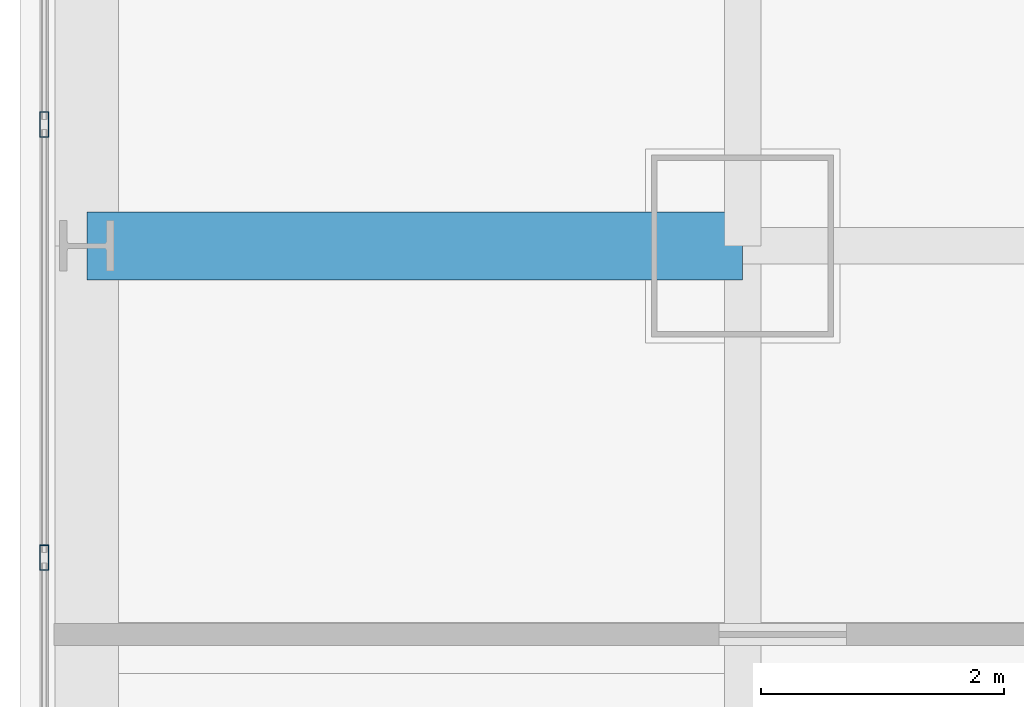
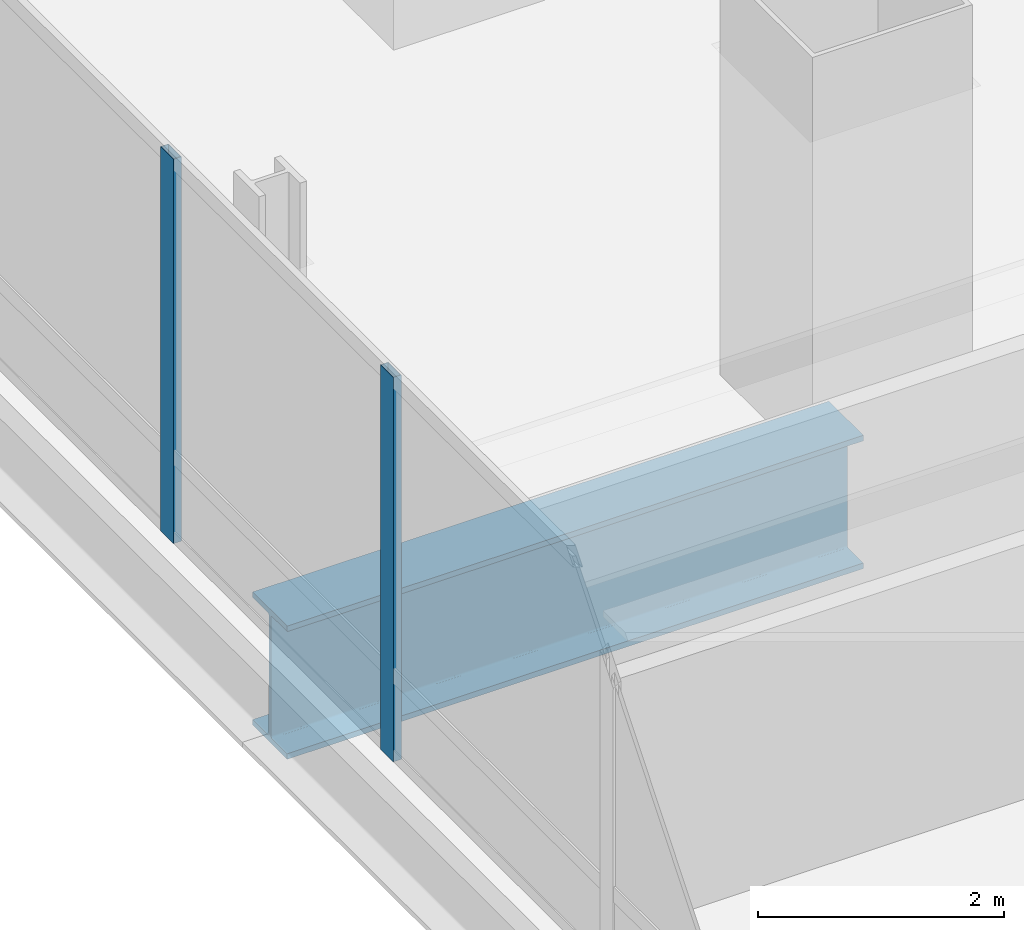
# One storey, part 9 of 35: 2 members, 1 beam, 1 element without a shape of its own.
"""IFC4 building model written with IfcOpenShell, lengths in metres."""

import ifcopenshell
import ifcopenshell.guid

model = None  # the IFC model being written
_history = None  # IfcOwnerHistory: only IFC2X3 demands one
_inside = {}  # id of a spatial element -> (the spatial element, [elements in it])
_under = {}  # id of a project, library or spatial element -> (it, [spatial elements below it])
_declared = {}  # id of a project -> (the project, [libraries it declares])
_typed = {}  # id of a type object -> (the type object, [elements of that type])
_made_of = {}  # id of a material, layer set ... -> (it, [elements and type objects made of it])


def new_model(schema):
    """Start an empty IFC model of exactly this schema.

    Asked for "IFC4X3", IfcOpenShell would pick the latest addendum, in which some entities
    have other attributes; the version numbers below select the first issue.
    IFC2X3 requires an IfcOwnerHistory on every rooted entity: one is made here for all.
    """
    global model, _history
    if schema == "IFC4X3":
        model = ifcopenshell.file(schema_version=(4, 3, 0, 0))
    else:
        model = ifcopenshell.file(schema=schema)
    _inside.clear()
    _under.clear()
    _declared.clear()
    _typed.clear()
    _made_of.clear()
    _history = None
    if model.schema == "IFC2X3":
        org = make("IfcOrganization", Name="unknown")
        user = make(
            "IfcPersonAndOrganization",
            ThePerson=make("IfcPerson", FamilyName="unknown"),
            TheOrganization=org,
        )
        app = make(
            "IfcApplication",
            ApplicationDeveloper=org,
            Version="unknown",
            ApplicationFullName="unknown",
            ApplicationIdentifier="unknown",
        )
        _history = make(
            "IfcOwnerHistory",
            OwningUser=user,
            OwningApplication=app,
            ChangeAction="ADDED",
            CreationDate=0,
        )
    return model


def make(cls, **values):
    """One entity of the class cls with the attributes given. An attribute that is None is left unset."""
    return model.create_entity(
        cls, **{name: value for name, value in values.items() if value is not None}
    )


def rooted(cls, **values):
    """An entity with a GlobalId (a new one), such as an element, a storey or a relation."""
    return make(cls, GlobalId=ifcopenshell.guid.new(), OwnerHistory=_history, **values)


def si_unit(unit_type, name, prefix=None):
    """IfcSIUnit, for example si_unit("LENGTHUNIT", "METRE", prefix="MILLI")."""
    return make("IfcSIUnit", UnitType=unit_type, Prefix=prefix, Name=name)


def assignment(units):
    """IfcUnitAssignment: the units of a project."""
    return None if units is None else make("IfcUnitAssignment", Units=units)


def point(xyz):
    """IfcCartesianPoint."""
    return None if xyz is None else make("IfcCartesianPoint", Coordinates=xyz)


def direction(xyz):
    """IfcDirection."""
    return None if xyz is None else make("IfcDirection", DirectionRatios=xyz)


def frame(location, z_axis=None, x_axis=None):
    """IfcAxis2Placement3D, a coordinate frame: its origin and axes. An axis left out is left unset."""
    return make(
        "IfcAxis2Placement3D",
        Location=point(location),
        Axis=direction(z_axis),
        RefDirection=direction(x_axis),
    )


def frame_2d(location, x_axis=None):
    """IfcAxis2Placement2D, a coordinate frame in the plane: its origin and x axis."""
    return make(
        "IfcAxis2Placement2D", Location=point(location), RefDirection=direction(x_axis)
    )


def origin():
    """The frame at (0, 0, 0) with its axes left unset."""
    return frame((0.0, 0.0, 0.0))


def origin_2d():
    """The frame at (0, 0) in the plane with its x axis left unset."""
    return frame_2d((0.0, 0.0))


def place(relative_to, where):
    """IfcLocalPlacement: puts the frame where relative to a parent placement (None: the world)."""
    return make(
        "IfcLocalPlacement", PlacementRelTo=relative_to, RelativePlacement=where
    )


def context(
    kind, dimensions, precision=None, world=None, true_north=None, identifier=None
):
    """IfcGeometricRepresentationContext, for example the 3D "Model" context."""
    return make(
        "IfcGeometricRepresentationContext",
        ContextIdentifier=identifier,
        ContextType=kind,
        CoordinateSpaceDimension=dimensions,
        Precision=precision,
        WorldCoordinateSystem=world,
        TrueNorth=true_north,
    )


def subcontext(parent, identifier, kind, view, scale=None):
    """IfcGeometricRepresentationSubContext, for example "Body" below "Model"."""
    return make(
        "IfcGeometricRepresentationSubContext",
        ContextIdentifier=identifier,
        ContextType=kind,
        ParentContext=parent,
        TargetScale=scale,
        TargetView=view,
    )


def project(units=None, contexts=None):
    """IfcProject with its units and contexts."""
    return rooted(
        "IfcProject",
        Name="project",
        RepresentationContexts=contexts,
        UnitsInContext=assignment(units),
    )


def spatial(cls, under=None, at=None, **own):
    """A site, building, storey or space (cls), placed at a placement, below another one or the project."""
    s = rooted(cls, ObjectPlacement=at, **own)
    if under is not None:
        _under.setdefault(under.id(), (under, []))[1].append(s)
    return s


def profile(cls, at=None, kind="AREA", **sizes):
    """A parametric profile (cls). Its sizes go by their IFC names, for example OverallWidth=200.0."""
    return make(cls, ProfileType=kind, Position=at, **sizes)


def hollow_rectangle(**sizes):
    """IfcRectangleHollowProfileDef."""
    return profile("IfcRectangleHollowProfileDef", **sizes)


def i_section(**sizes):
    """IfcIShapeProfileDef."""
    return profile("IfcIShapeProfileDef", **sizes)


def extrude(swept, where, along, depth):
    """IfcExtrudedAreaSolid: the profile swept, set in the frame where, extruded along a direction by depth."""
    return make(
        "IfcExtrudedAreaSolid",
        SweptArea=swept,
        Position=where,
        ExtrudedDirection=direction(along),
        Depth=depth,
    )


def shape(context_of_items, identifier, shape_type, items):
    """IfcShapeRepresentation: the items that make up one representation, for example the "Body"."""
    return make(
        "IfcShapeRepresentation",
        ContextOfItems=context_of_items,
        RepresentationIdentifier=identifier,
        RepresentationType=shape_type,
        Items=items,
    )


def material(Name=None, Category=None):
    """IfcMaterial."""
    return make("IfcMaterial", Name=Name, Category=Category)


def material_profile(
    of_material, cross_section, Name=None, Category=None, Priority=None
):
    """IfcMaterialProfile: a cross section and its material."""
    return make(
        "IfcMaterialProfile",
        Name=Name,
        Material=of_material,
        Profile=cross_section,
        Priority=Priority,
        Category=Category,
    )


def profile_set(profiles, Name=None, composite=None):
    """IfcMaterialProfileSet."""
    return make(
        "IfcMaterialProfileSet",
        Name=Name,
        MaterialProfiles=profiles,
        CompositeProfile=composite,
    )


def made_of(thing, what):
    """Note that an element or type object is made of a material, layer set ...; save() writes the relation."""
    if what is not None:
        _made_of.setdefault(what.id(), (what, []))[1].append(thing)
    return thing


def type_object(cls, material=None, **own):
    """A type object (cls), such as IfcWallType, which elements share."""
    return made_of(rooted(cls, **own), material)


def element(
    cls,
    number,
    at=None,
    inside=None,
    cuts=None,
    type_object=None,
    material=None,
    context=None,
    identifier="Body",
    shape_type=None,
    held_by="IfcProductDefinitionShape",
    body=None,
    shapes=None,
    **own,
):
    """One element of the class cls, such as IfcWall. Its Tag is "e" and its number.

    at: its placement. inside: the storey or other place that contains it. cuts: it is an
    opening in that element (IfcRelVoidsElement). A single representation is given by context,
    identifier, shape_type and body (its items); several are given by shapes. held_by: the class
    of the entity that holds the representations. save() writes the other relations.
    """
    e = rooted(cls, Tag="e%d" % number, ObjectPlacement=at, **own)
    if body is not None:
        shapes = [shape(context, identifier, shape_type, body)]
    if shapes is not None:
        e.Representation = make(held_by, Representations=shapes)
    if inside is not None:
        _inside.setdefault(inside.id(), (inside, []))[1].append(e)
    if cuts is not None:
        rooted(
            "IfcRelVoidsElement", RelatingBuildingElement=cuts, RelatedOpeningElement=e
        )
    if type_object is not None:
        _typed.setdefault(type_object.id(), (type_object, []))[1].append(e)
    return made_of(e, material)


def aggregate(whole, parts):
    """IfcRelAggregates: a whole, such as a stair, and the parts it consists of."""
    return rooted("IfcRelAggregates", RelatingObject=whole, RelatedObjects=parts)


def save(model, path):
    """Write the relations noted so far, then the file.

    IfcRelAggregates (storeys below a building ...), IfcRelContainedInSpatialStructure (elements
    in a storey), IfcRelDefinesByType, IfcRelAssociatesMaterial and IfcRelDeclares: one each for
    every whole, place, type object, material and project.
    """
    for whole, parts in _under.values():
        aggregate(whole, parts)
    for where, things in _inside.values():
        rooted(
            "IfcRelContainedInSpatialStructure",
            RelatedElements=things,
            RelatingStructure=where,
        )
    for kind, things in _typed.values():
        rooted("IfcRelDefinesByType", RelatedObjects=things, RelatingType=kind)
    for what, things in _made_of.values():
        rooted("IfcRelAssociatesMaterial", RelatedObjects=things, RelatingMaterial=what)
    for by, libraries in _declared.values():
        rooted("IfcRelDeclares", RelatingContext=by, RelatedDefinitions=libraries)
    model.write(path)


model = new_model("IFC4")

# Units and contexts
model_context = context("Model", 3, precision=1e-05, world=origin(), true_north=direction((0.0, 1.0)))
body_context = subcontext(model_context, "Body", "Model", "MODEL_VIEW")
ifc_project = project(units=[si_unit("LENGTHUNIT", "METRE"), si_unit("AREAUNIT", "SQUARE_METRE"), si_unit("VOLUMEUNIT", "CUBIC_METRE"), si_unit("PLANEANGLEUNIT", "RADIAN"), si_unit("MASSUNIT", "GRAM", prefix="KILO")], contexts=[model_context])

# Site, building, storey
site_placement = place(None, origin())
site = spatial("IfcSite", under=ifc_project, at=site_placement, CompositionType="ELEMENT")
building_placement = place(site_placement, origin())
building = spatial("IfcBuilding", under=site, at=building_placement, Name="Punatoya Terracotta Tower", CompositionType="ELEMENT")
storey_placement = place(building_placement, frame((0.0, 0.0, 52.5)))
storey = spatial("IfcBuildingStorey", under=building, at=storey_placement, Name="L11", CompositionType="ELEMENT", Elevation=52.5)

# Beam
ifc_material_1 = material(Name="Steel S460", Category="steel")
ifc_material_profile_1 = material_profile(ifc_material_1, i_section(OverallWidth=0.56005859375, OverallDepth=1.320068359375, WebThickness=0.035888671875, FlangeThickness=0.054931640625, FilletRadius=0.01806640625, at=origin_2d()))
ifc_profile_set_1 = profile_set([ifc_material_profile_1], Name="Steel S460")
beam_type = type_object("IfcBeamType", Name="BM-TG-BLK", PredefinedType="BEAM", material=ifc_profile_set_1)
beam_placement = place(storey_placement, frame((-24.5, -3.39990234375, -0.89990234375), z_axis=(1.0, 0.0, 0.0), x_axis=(0.0, 1.0, 0.0)))
element("IfcBeam", 1, at=beam_placement, inside=storey, type_object=beam_type, Name="BM-L11-CANT-W2", PredefinedType="BEAM", context=body_context, shape_type="SweptSolid", body=[
    extrude(i_section(OverallWidth=0.56005859375, OverallDepth=1.320068359375, WebThickness=0.035888671875, FlangeThickness=0.054931640625, FilletRadius=0.01806640625, at=origin_2d()), origin(), (0.0, 0.0, 1.0), 5.39990234375),
])

# Curtain wall, members
ifc_material_2 = material(Name="Aluminium 6063-T6 + Double Low-E Glass", Category="aluminium")
curtain_wall_type = type_object("IfcCurtainWallType", Name="CW-M1", PredefinedType="NOTDEFINED", material=ifc_material_2)
curtain_wall_placement = place(storey_placement, origin())
curtain_wall = element("IfcCurtainWall", 2, at=curtain_wall_placement, inside=storey, type_object=curtain_wall_type, Name="L11 Curtain Wall CW-L11-W13-1", PredefinedType="NOTDEFINED")
ifc_material_3 = material(Name="Aluminium 6063-T6", Category="aluminium")
ifc_material_profile_2 = material_profile(ifc_material_3, hollow_rectangle(XDim=0.074951171875, YDim=0.2099609375, WallThickness=0.00439453125, at=origin_2d()))
ifc_profile_set_2 = profile_set([ifc_material_profile_2], Name="Aluminium 6063-T6")
member_type = type_object("IfcMemberType", Name="CW-MUL-M1", PredefinedType="MULLION", material=ifc_profile_set_2)
member_1_placement = place(storey_placement, frame((-24.85009765625, -2.39990234375, 0.0), z_axis=(0.0, 0.0, 1.0), x_axis=(1.0, 0.0, 0.0)))
member_1 = element("IfcMember", 3, at=member_1_placement, type_object=member_type, Name="CW-L11-W13-1 Mullion 05", PredefinedType="MULLION", context=body_context, shape_type="SweptSolid", body=[
    extrude(hollow_rectangle(XDim=0.074951171875, YDim=0.2099609375, WallThickness=0.00439453125, at=origin_2d()), origin(), (0.0, 0.0, 1.0), 3.81005859375),
])
member_2_placement = place(storey_placement, frame((-24.85009765625, -5.96728515625, 0.0), z_axis=(0.0, 0.0, 1.0), x_axis=(1.0, 0.0, 0.0)))
member_2 = element("IfcMember", 4, at=member_2_placement, type_object=member_type, Name="CW-L11-W13-1 Mullion 06", PredefinedType="MULLION", context=body_context, shape_type="SweptSolid", body=[
    extrude(hollow_rectangle(XDim=0.074951171875, YDim=0.2099609375, WallThickness=0.00439453125, at=origin_2d()), origin(), (0.0, 0.0, 1.0), 3.81005859375),
])
aggregate(curtain_wall, [member_1, member_2])

save(model, "model.ifc")
